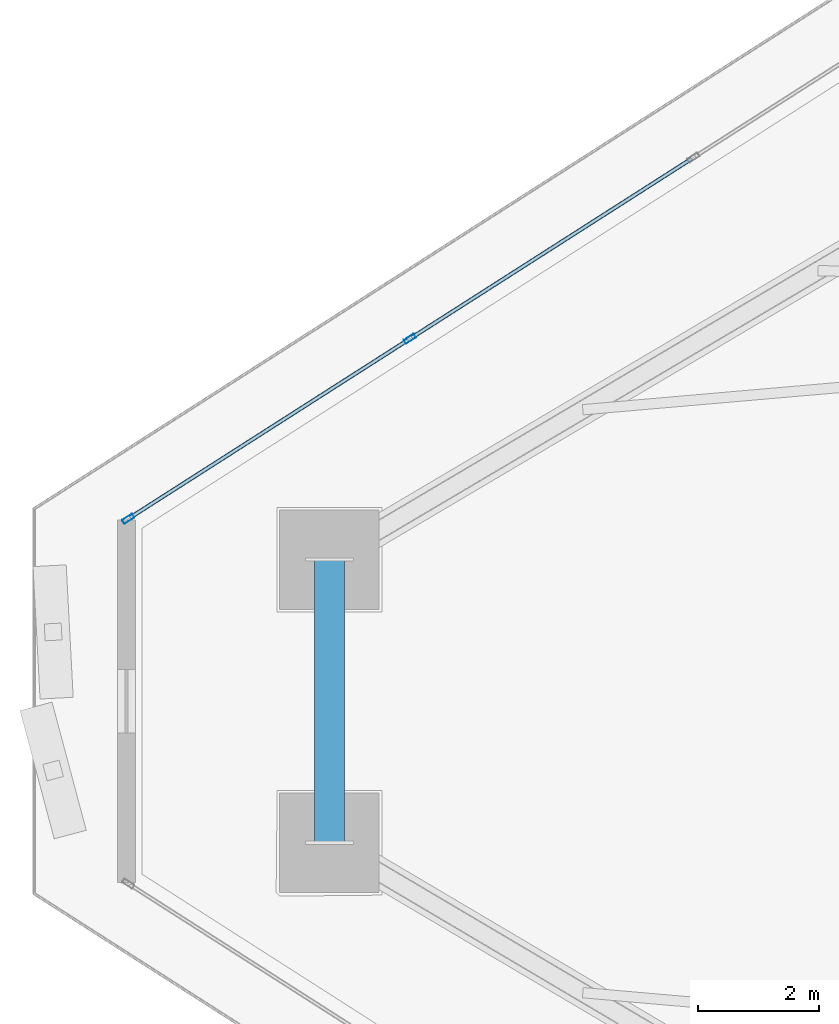
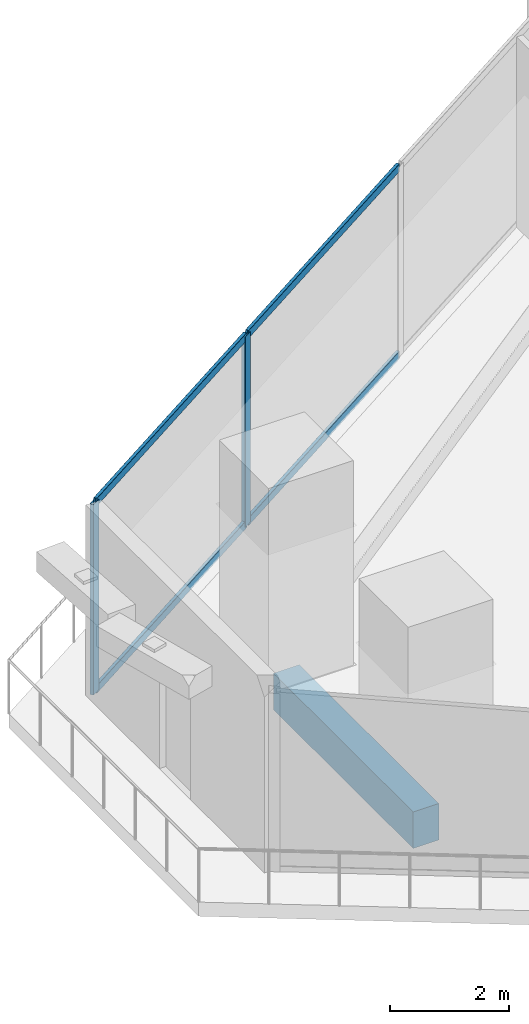
# One storey, part 8 of 34: 6 members, 1 beam, 1 element without a shape of its own.
"""IFC4 building model written with IfcOpenShell, lengths in metres."""

from ifc_helpers import new_model, si_unit, direction, frame, origin, origin_2d, place, context, subcontext, project, spatial, rectangle, hollow_rectangle, extrude, material, layer, layer_set, material_profile, profile_set, type_object, element, aggregate, save


model = new_model("IFC4")

# Units and contexts
model_context = context("Model", 3, precision=1e-05, world=origin(), true_north=direction((0.0, 1.0)))
body_context = subcontext(model_context, "Body", "Model", "MODEL_VIEW")
ifc_project = project(units=[si_unit("LENGTHUNIT", "METRE"), si_unit("AREAUNIT", "SQUARE_METRE"), si_unit("VOLUMEUNIT", "CUBIC_METRE"), si_unit("PLANEANGLEUNIT", "RADIAN"), si_unit("MASSUNIT", "GRAM", prefix="KILO")], contexts=[model_context])

# Site, building, storey
site_placement = place(None, origin())
site = spatial("IfcSite", under=ifc_project, at=site_placement, CompositionType="ELEMENT")
building_placement = place(site_placement, origin())
building = spatial("IfcBuilding", under=site, at=building_placement, Name="Qorvath Tower", CompositionType="ELEMENT")
storey_placement = place(building_placement, frame((0.0, 0.0, 276.60009765625)))
storey = spatial("IfcBuildingStorey", under=building, at=storey_placement, Name="L64", CompositionType="ELEMENT", Elevation=276.60009765625)

# Beam
ifc_material_1 = material(Name="Concrete C45/55", Category="concrete")
ifc_material_profile_1 = material_profile(ifc_material_1, rectangle(XDim=0.5, YDim=0.75, at=origin_2d()), Name="RCB 750x500")
ifc_profile_set_1 = profile_set([ifc_material_profile_1], Name="Concrete C45/55")
beam_type = type_object("IfcBeamType", Name="BM-RCB3", PredefinedType="SPANDREL", material=ifc_profile_set_1)
beam_placement = place(storey_placement, frame((-47.53759765625, 2.349609375, -0.6650390625), z_axis=(0.0, -1.0, 0.0), x_axis=(1.0, 0.0, 0.0)))
element("IfcBeam", 1, at=beam_placement, inside=storey, type_object=beam_type, Name="Perimeter Loggia Frame Beam MC1-MC2 L64", PredefinedType="SPANDREL", context=body_context, shape_type="SweptSolid", body=[
    extrude(rectangle(XDim=0.5, YDim=0.75, at=origin_2d()), origin(), (0.0, 0.0, 1.0), 4.69921875),
])

# Curtain wall, members
ifc_material_2 = material(Name="Anodised aluminium and triple low-E glass", Category="aluminium")
ifc_layer = layer(ifc_material_2, 0.179931640625)
ifc_layer_set = layer_set([ifc_layer], Name="CW-SYS-4")
curtain_wall_type = type_object("IfcCurtainWallType", Name="CW-SYS-4", PredefinedType="NOTDEFINED", material=ifc_layer_set)
curtain_wall_placement = place(storey_placement, origin())
curtain_wall = element("IfcCurtainWall", 2, at=curtain_wall_placement, inside=storey, type_object=curtain_wall_type, Name="Curtain Wall CW-4 CW-T-L64-16.1", PredefinedType="NOTDEFINED")
ifc_material_3 = material(Name="Anodised aluminium 6063-T6", Category="aluminium")
ifc_material_profile_2 = material_profile(ifc_material_3, hollow_rectangle(XDim=0.074951171875, YDim=0.199951171875, WallThickness=0.00390625, InnerFilletRadius=0.00390625, OuterFilletRadius=0.008056640625, at=origin_2d()), Name="CWM 200x75")
ifc_profile_set_2 = profile_set([ifc_material_profile_2], Name="Anodised aluminium 6063-T6")
member_type_1 = type_object("IfcMemberType", Name="CWM-200", PredefinedType="MULLION", material=ifc_profile_set_2)
member_1_placement = place(storey_placement, frame((-46.203125, 6.01171875, 0.0), z_axis=(0.0, 0.0, 1.0), x_axis=(0.538533509281, -0.842604094093, 0.0)))
member_1 = element("IfcMember", 3, at=member_1_placement, type_object=member_type_1, Name="CW-4 mullion 7", PredefinedType="MULLION", context=body_context, shape_type="SweptSolid", body=[
    extrude(hollow_rectangle(XDim=0.074951171875, YDim=0.199951171875, WallThickness=0.00390625, InnerFilletRadius=0.00390625, OuterFilletRadius=0.008056640625, at=origin_2d()), origin(), (0.0, 0.0, 1.0), 3.909912109375),
])
member_2_placement = place(storey_placement, frame((-50.87451171875, 3.026123046875, 0.0), z_axis=(0.0, 0.0, 1.0), x_axis=(0.538533509281, -0.842604094093, 0.0)))
member_2 = element("IfcMember", 4, at=member_2_placement, type_object=member_type_1, Name="CW-4 mullion 8", PredefinedType="MULLION", context=body_context, shape_type="SweptSolid", body=[
    extrude(hollow_rectangle(XDim=0.074951171875, YDim=0.199951171875, WallThickness=0.00390625, InnerFilletRadius=0.00390625, OuterFilletRadius=0.008056640625, at=origin_2d()), origin(), (0.0, 0.0, 1.0), 3.909912109375),
])
ifc_material_4 = material(Name="Anodised aluminium 6063-T6", Category="aluminium")
ifc_material_profile_3 = material_profile(ifc_material_4, hollow_rectangle(XDim=0.06494140625, YDim=0.159912109375, WallThickness=0.00341796875, InnerFilletRadius=0.00341796875, OuterFilletRadius=0.007080078125, at=origin_2d()), Name="CWT 160x65")
ifc_profile_set_3 = profile_set([ifc_material_profile_3], Name="Anodised aluminium 6063-T6")
member_type_2 = type_object("IfcMemberType", Name="CWT-160", PredefinedType="USERDEFINED", material=ifc_profile_set_3)
member_3_placement = place(storey_placement, frame((-41.531494140625, 8.99755859375, 0.032470703125), z_axis=(-0.842597346925, -0.538544065935, 0.0), x_axis=(0.538544065935, -0.842597346925, 0.0)))
member_3 = element("IfcMember", 5, at=member_3_placement, type_object=member_type_2, Name="CW-4 transom 6.1", ObjectType="TRANSOM", PredefinedType="USERDEFINED", context=body_context, shape_type="SweptSolid", body=[
    extrude(hollow_rectangle(XDim=0.06494140625, YDim=0.159912109375, WallThickness=0.00341796875, InnerFilletRadius=0.00341796875, OuterFilletRadius=0.007080078125, at=origin_2d()), origin(), (0.0, 0.0, 1.0), 5.506591796875),
])
member_4_placement = place(storey_placement, frame((-41.531494140625, 8.99755859375, 3.87744140625), z_axis=(-0.842597346925, -0.538544065935, 0.0), x_axis=(0.538544065935, -0.842597346925, 0.0)))
member_4 = element("IfcMember", 6, at=member_4_placement, type_object=member_type_2, Name="CW-4 transom 6.2", ObjectType="TRANSOM", PredefinedType="USERDEFINED", context=body_context, shape_type="SweptSolid", body=[
    extrude(hollow_rectangle(XDim=0.06494140625, YDim=0.159912109375, WallThickness=0.00341796875, InnerFilletRadius=0.00341796875, OuterFilletRadius=0.007080078125, at=origin_2d()), origin(), (0.0, 0.0, 1.0), 5.506591796875),
])
member_5_placement = place(storey_placement, frame((-46.234619140625, 5.99169921875, 0.032470703125), z_axis=(-0.842608486836, -0.538526636215, 0.0), x_axis=(0.538526636215, -0.842608486836, 0.0)))
member_5 = element("IfcMember", 7, at=member_5_placement, type_object=member_type_2, Name="CW-4 transom 7.1", ObjectType="TRANSOM", PredefinedType="USERDEFINED", context=body_context, shape_type="SweptSolid", body=[
    extrude(hollow_rectangle(XDim=0.06494140625, YDim=0.159912109375, WallThickness=0.00341796875, InnerFilletRadius=0.00341796875, OuterFilletRadius=0.007080078125, at=origin_2d()), origin(), (0.0, 0.0, 1.0), 5.46923828125),
])
member_6_placement = place(storey_placement, frame((-46.234619140625, 5.99169921875, 3.87744140625), z_axis=(-0.842608486836, -0.538526636215, 0.0), x_axis=(0.538526636215, -0.842608486836, 0.0)))
member_6 = element("IfcMember", 8, at=member_6_placement, type_object=member_type_2, Name="CW-4 transom 7.2", ObjectType="TRANSOM", PredefinedType="USERDEFINED", context=body_context, shape_type="SweptSolid", body=[
    extrude(hollow_rectangle(XDim=0.06494140625, YDim=0.159912109375, WallThickness=0.00341796875, InnerFilletRadius=0.00341796875, OuterFilletRadius=0.007080078125, at=origin_2d()), origin(), (0.0, 0.0, 1.0), 5.46923828125),
])
aggregate(curtain_wall, [member_1, member_2, member_3, member_4, member_5, member_6])

save(model, "model.ifc")
